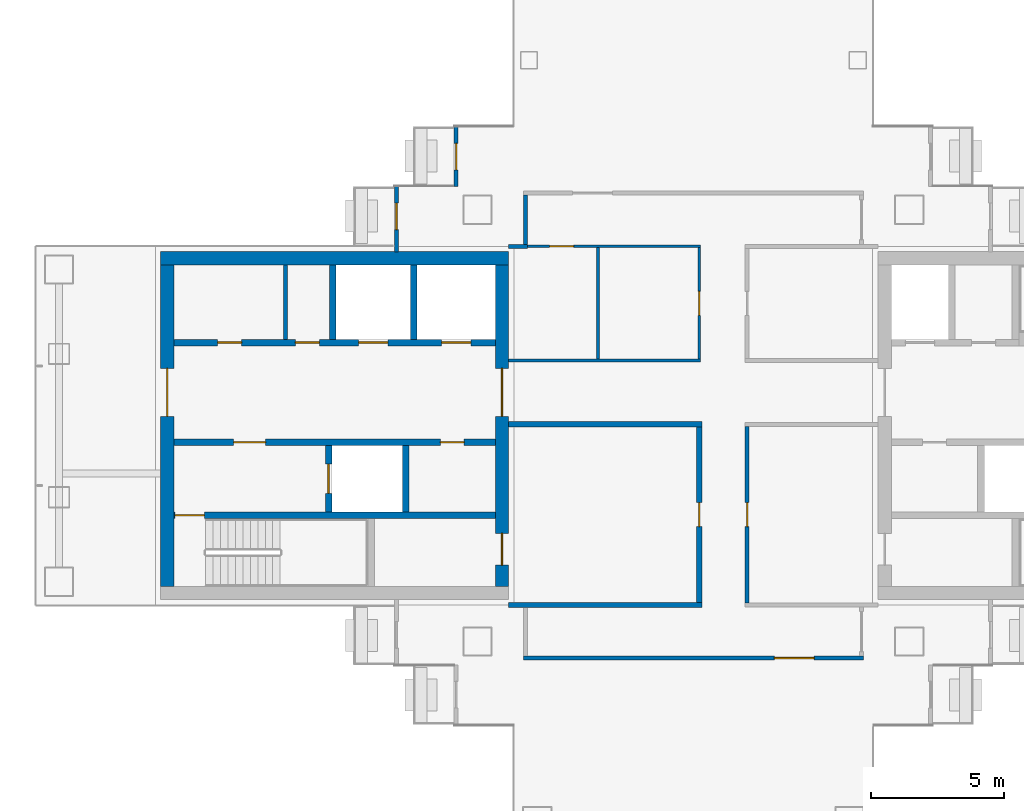
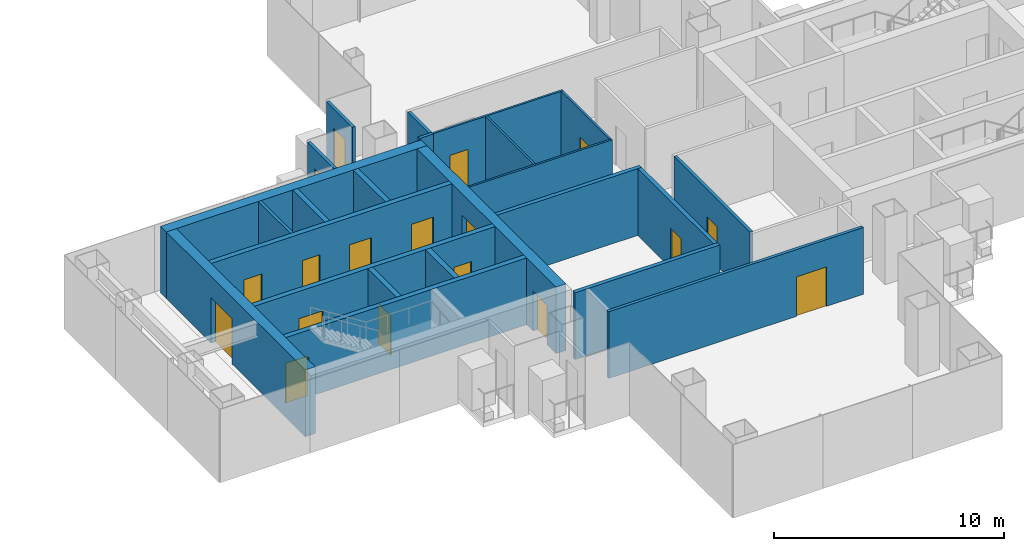
# One storey, part 11 of 16: 24 walls, 18 doors, 18 openings.
"""IFC4 building model written with IfcOpenShell, lengths in metres."""

from ifc_helpers import new_model, si_unit, direction, frame, frame_2d, origin, place, context, subcontext, project, spatial, rectangle, extrude, material, layer, layer_set, type_object, element, fill, save


model = new_model("IFC4")

# Units and contexts
model_context = context("Model", 3, precision=1e-05, world=origin(), true_north=direction((0.0, 1.0)))
body_context = subcontext(model_context, "Body", "Model", "MODEL_VIEW")
ifc_project = project(units=[si_unit("LENGTHUNIT", "METRE"), si_unit("AREAUNIT", "SQUARE_METRE"), si_unit("VOLUMEUNIT", "CUBIC_METRE"), si_unit("PLANEANGLEUNIT", "RADIAN"), si_unit("MASSUNIT", "GRAM", prefix="KILO")], contexts=[model_context])

# Site, building, storey
site_placement = place(None, origin())
site = spatial("IfcSite", under=ifc_project, at=site_placement, CompositionType="ELEMENT")
building_placement = place(site_placement, origin())
building = spatial("IfcBuilding", under=site, at=building_placement, Name="Shamsa Quay Exchange Towers", CompositionType="ELEMENT")
storey_placement = place(building_placement, frame((0.0, 0.0, 138.89990234375)))
storey = spatial("IfcBuildingStorey", under=building, at=storey_placement, Name="L32", CompositionType="ELEMENT", Elevation=138.89990234375)

# Wall, opening, door
ifc_material_1 = material(Name="Aluminium EN AW-6063 T6, black anodised, with black enamelled glass infill", Category="aluminium")
ifc_layer_1 = layer(ifc_material_1, 0.14990234375)
ifc_layer_set_1 = layer_set([ifc_layer_1], Name="BALCONY DOOR BAY WALL 150")
wall_type_1 = type_object("IfcWallType", Name="BALCONY DOOR BAY WALL 150", PredefinedType="SOLIDWALL", material=ifc_layer_set_1)
wall_1_placement = place(storey_placement, frame((24.824951171875, 9.0, 0.0), z_axis=(0.0, 0.0, 1.0), x_axis=(0.0, 1.0, 0.0)))
wall_1 = element("IfcWall", 1, at=wall_1_placement, inside=storey, type_object=wall_type_1, Name="Door bay T2-PKEN L32", PredefinedType="SOLIDWALL", context=body_context, shape_type="SweptSolid", body=[
    extrude(rectangle(XDim=2.25, YDim=0.14990234375, at=frame_2d((1.125, 0.0))), origin(), (0.0, 0.0, 1.0), 3.4501953125),
])
opening_1_placement = place(wall_1_placement, frame((0.625, 0.0, 0.0)))
opening_1 = element("IfcOpeningElement", 2, at=opening_1_placement, cuts=wall_1, Name="Opening XD201", PredefinedType="OPENING", context=body_context, shape_type="SweptSolid", body=[
    extrude(rectangle(XDim=1.0, YDim=2.39990234375, at=frame_2d((0.5, 1.199951171875))), frame((0.0, 0.0849609375, 0.0), z_axis=(0.0, -1.0, 0.0), x_axis=(1.0, 0.0, 0.0)), (0.0, 0.0, 1.0), 0.169921875),
])
ifc_material_2 = material(Name="Aluminium EN AW-6063 T6, black anodised, with laminated glass leaf", Category="aluminium")
door_type_1 = type_object("IfcDoorType", Name="BALCONY DOOR 1000x2400", OperationType="SINGLE_SWING_LEFT", PredefinedType="DOOR", material=ifc_material_2)
door_1_placement = place(opening_1_placement, origin())
door_1 = element("IfcDoor", 3, at=door_1_placement, inside=storey, type_object=door_type_1, Name="Balcony door T2-PKEN L32", OperationType="SINGLE_SWING_RIGHT", OverallHeight=2.39990234375, OverallWidth=1.0, PredefinedType="DOOR", context=body_context, shape_type="SweptSolid", body=[
    extrude(rectangle(XDim=1.0, YDim=2.39990234375, at=frame_2d((0.5, 1.199951171875))), frame((0.0, 0.02490234375, 0.0), z_axis=(0.0, -1.0, 0.0), x_axis=(1.0, 0.0, 0.0)), (0.0, 0.0, 1.0), 0.050048828125),
])
fill(opening_1, door_1)

wall_2_placement = place(storey_placement, frame((22.574951171875, 6.54296875, 0.0), z_axis=(0.0, 0.0, 1.0), x_axis=(0.0, 1.0, 0.0)))
wall_2 = element("IfcWall", 4, at=wall_2_placement, inside=storey, type_object=wall_type_1, Name="Door bay T2-PKEN L32", PredefinedType="SOLIDWALL", context=body_context, shape_type="SweptSolid", body=[
    extrude(rectangle(XDim=2.45703125, YDim=0.14990234375, at=frame_2d((1.228515625, 0.0))), origin(), (0.0, 0.0, 1.0), 3.4501953125),
])
opening_2_placement = place(wall_2_placement, frame((0.83203125, 0.0, 0.0)))
opening_2 = element("IfcOpeningElement", 5, at=opening_2_placement, cuts=wall_2, Name="Opening XD202", PredefinedType="OPENING", context=body_context, shape_type="SweptSolid", body=[
    extrude(rectangle(XDim=1.0, YDim=2.39990234375, at=frame_2d((0.5, 1.199951171875))), frame((0.0, 0.0849609375, 0.0), z_axis=(0.0, -1.0, 0.0), x_axis=(1.0, 0.0, 0.0)), (0.0, 0.0, 1.0), 0.169921875),
])
door_2_placement = place(opening_2_placement, origin())
door_2 = element("IfcDoor", 6, at=door_2_placement, inside=storey, type_object=door_type_1, Name="Balcony door T2-PKEN L32", OperationType="SINGLE_SWING_LEFT", OverallHeight=2.39990234375, OverallWidth=1.0, PredefinedType="DOOR", context=body_context, shape_type="SweptSolid", body=[
    extrude(rectangle(XDim=1.0, YDim=2.39990234375, at=frame_2d((0.5, 1.199951171875))), frame((0.0, 0.02490234375, 0.0), z_axis=(0.0, -1.0, 0.0), x_axis=(1.0, 0.0, 0.0)), (0.0, 0.0, 1.0), 0.050048828125),
])
fill(opening_2, door_2)

# Wall
ifc_material_3 = material(Name="Concrete C60/75", Category="concrete")
ifc_layer_2 = layer(ifc_material_3, 0.5)
ifc_layer_set_2 = layer_set([ifc_layer_2], Name="CORE WALL 500 C60/75")
wall_type_2 = type_object("IfcWallType", Name="CORE WALL 500 C60/75", PredefinedType="SHEAR", material=ifc_layer_set_2)
wall_3_placement = place(storey_placement, frame((13.699951171875, 6.300048828125, 0.0)))
element("IfcWall", 7, at=wall_3_placement, inside=storey, type_object=wall_type_2, Name="Core wall T2A-R14-PN", PredefinedType="SHEAR", context=body_context, shape_type="SweptSolid", body=[
    extrude(rectangle(XDim=13.10009765625, YDim=0.5, at=frame_2d((6.550048828125, 0.0))), origin(), (0.0, 0.0, 1.0), 3.550048828125),
])

# Wall, opening, door
wall_4_placement = place(storey_placement, frame((13.949951171875, 6.050048828125, 0.0), z_axis=(0.0, 0.0, 1.0), x_axis=(0.0, -1.0, 0.0)))
wall_4 = element("IfcWall", 8, at=wall_4_placement, inside=storey, type_object=wall_type_2, Name="Core wall T2A-R14-PF", PredefinedType="SHEAR", context=body_context, shape_type="SweptSolid", body=[
    extrude(rectangle(XDim=12.10009765625, YDim=0.5, at=frame_2d((6.050048828125, 0.0))), origin(), (0.0, 0.0, 1.0), 3.550048828125),
])
opening_3_placement = place(wall_4_placement, frame((3.89990234375, 0.0, 0.0)))
opening_3 = element("IfcOpeningElement", 9, at=opening_3_placement, cuts=wall_4, Name="Opening T2A-R14-LBD01", PredefinedType="OPENING", context=body_context, shape_type="SweptSolid", body=[
    extrude(rectangle(XDim=1.800048828125, YDim=2.39990234375, at=frame_2d((0.89990234375, 1.199951171875))), frame((0.0, 0.260009765625, 0.0), z_axis=(0.0, -1.0, 0.0), x_axis=(1.0, 0.0, 0.0)), (0.0, 0.0, 1.0), 0.52001953125),
])
ifc_material_4 = material(Name="Steel, fire rated", Category="steel")
door_type_2 = type_object("IfcDoorType", Name="LIFT LOBBY DOOR PAIR 1800", OperationType="DOUBLE_DOOR_SINGLE_SWING", PredefinedType="DOOR", material=ifc_material_4)
door_3_placement = place(opening_3_placement, origin())
door_3 = element("IfcDoor", 10, at=door_3_placement, inside=storey, type_object=door_type_2, Name="T2A-R14-LBD01", OperationType="DOUBLE_DOOR_SINGLE_SWING", OverallHeight=2.39990234375, OverallWidth=1.800048828125, PredefinedType="DOOR", context=body_context, shape_type="SweptSolid", body=[
    extrude(rectangle(XDim=1.800048828125, YDim=2.39990234375, at=frame_2d((0.89990234375, 1.199951171875))), frame((0.0, 0.02490234375, 0.0), z_axis=(0.0, -1.0, 0.0), x_axis=(1.0, 0.0, 0.0)), (0.0, 0.0, 1.0), 0.050048828125),
])
fill(opening_3, door_3)

# Wall, openings, doors
wall_5_placement = place(storey_placement, frame((26.550048828125, 6.050048828125, 0.0), z_axis=(0.0, 0.0, 1.0), x_axis=(0.0, -1.0, 0.0)))
wall_5 = element("IfcWall", 11, at=wall_5_placement, inside=storey, type_object=wall_type_2, Name="Core wall T2A-R14-PB", PredefinedType="SHEAR", context=body_context, shape_type="SweptSolid", body=[
    extrude(rectangle(XDim=12.10009765625, YDim=0.5, at=frame_2d((6.050048828125, 0.0))), origin(), (0.0, 0.0, 1.0), 3.550048828125),
])
opening_4_placement = place(wall_5_placement, frame((10.10009765625, 0.0, 0.0)))
opening_4 = element("IfcOpeningElement", 12, at=opening_4_placement, cuts=wall_5, Name="Opening T2A-R14-RD02", PredefinedType="OPENING", context=body_context, shape_type="SweptSolid", body=[
    extrude(rectangle(XDim=1.199951171875, YDim=2.10009765625, at=frame_2d((0.60009765625, 1.050048828125))), frame((0.0, 0.260009765625, 0.0), z_axis=(0.0, -1.0, 0.0), x_axis=(1.0, 0.0, 0.0)), (0.0, 0.0, 1.0), 0.52001953125),
])
opening_5_placement = place(wall_5_placement, frame((3.89990234375, 0.0, 0.0)))
opening_5 = element("IfcOpeningElement", 13, at=opening_5_placement, cuts=wall_5, Name="Opening T2A-R14-LBD03", PredefinedType="OPENING", context=body_context, shape_type="SweptSolid", body=[
    extrude(rectangle(XDim=1.800048828125, YDim=2.39990234375, at=frame_2d((0.89990234375, 1.199951171875))), frame((0.0, 0.260009765625, 0.0), z_axis=(0.0, -1.0, 0.0), x_axis=(1.0, 0.0, 0.0)), (0.0, 0.0, 1.0), 0.52001953125),
])
door_4_placement = place(opening_5_placement, origin())
door_4 = element("IfcDoor", 14, at=door_4_placement, inside=storey, type_object=door_type_2, Name="T2A-R14-LBD03", OperationType="DOUBLE_DOOR_SINGLE_SWING", OverallHeight=2.39990234375, OverallWidth=1.800048828125, PredefinedType="DOOR", context=body_context, shape_type="SweptSolid", body=[
    extrude(rectangle(XDim=1.800048828125, YDim=2.39990234375, at=frame_2d((0.89990234375, 1.199951171875))), frame((0.0, 0.02490234375, 0.0), z_axis=(0.0, -1.0, 0.0), x_axis=(1.0, 0.0, 0.0)), (0.0, 0.0, 1.0), 0.050048828125),
])
fill(opening_5, door_4)
door_type_3 = type_object("IfcDoorType", Name="RISER ACCESS DOOR 1200", OperationType="SINGLE_SWING_LEFT", PredefinedType="DOOR", material=ifc_material_4)
door_5_placement = place(opening_4_placement, origin())
door_5 = element("IfcDoor", 15, at=door_5_placement, inside=storey, type_object=door_type_3, Name="T2A-R14-RD02", OperationType="SINGLE_SWING_RIGHT", OverallHeight=2.10009765625, OverallWidth=1.199951171875, PredefinedType="DOOR", context=body_context, shape_type="SweptSolid", body=[
    extrude(rectangle(XDim=1.199951171875, YDim=2.10009765625, at=frame_2d((0.60009765625, 1.050048828125))), frame((0.0, 0.02490234375, 0.0), z_axis=(0.0, -1.0, 0.0), x_axis=(1.0, 0.0, 0.0)), (0.0, 0.0, 1.0), 0.050048828125),
])
fill(opening_4, door_5)

# Wall
ifc_material_5 = material(Name="Gypsum board on steel studs, EI 60", Category="steel")
ifc_layer_3 = layer(ifc_material_5, 0.14990234375)
ifc_layer_set_3 = layer_set([ifc_layer_3], Name="FIRE PARTITION 150")
wall_type_3 = type_object("IfcWallType", Name="FIRE PARTITION 150", PredefinedType="PARTITIONING", material=ifc_layer_set_3)
wall_6_placement = place(storey_placement, frame((18.39990234375, 3.25, 0.0), z_axis=(0.0, 0.0, 1.0), x_axis=(0.0, 1.0, 0.0)))
element("IfcWall", 16, at=wall_6_placement, inside=storey, type_object=wall_type_3, Name="Partition T2A-R14-FC0", PredefinedType="PARTITIONING", context=body_context, shape_type="SweptSolid", body=[
    extrude(rectangle(XDim=2.800048828125, YDim=0.14990234375, at=frame_2d((1.39990234375, 0.0))), origin(), (0.0, 0.0, 1.0), 3.550048828125),
])

# Wall, opening, door
ifc_material_6 = material(Name="Gypsum board partition on metal studs")
ifc_layer_4 = layer(ifc_material_6, 0.10009765625)
ifc_layer_set_4 = layer_set([ifc_layer_4], Name="Partition 100 mm NOT RATED")
wall_type_4 = type_object("IfcWallType", Name="Partition 100 mm NOT RATED", PredefinedType="PARTITIONING", material=ifc_layer_set_4)
wall_7_placement = place(storey_placement, frame((34.024658203125, 6.75, 0.0), z_axis=(0.0, 0.0, 1.0), x_axis=(-1.0, 0.0, 0.0)))
wall_7 = element("IfcWall", 17, at=wall_7_placement, inside=storey, type_object=wall_type_4, Name="Partition T2-R14-W01", PredefinedType="PARTITIONING", context=body_context, shape_type="SweptSolid", body=[
    extrude(rectangle(XDim=6.6748046875, YDim=0.10009765625, at=frame_2d((3.33740234375, 0.0))), origin(), (0.0, 0.0, 1.0), 3.550048828125),
])
opening_6_placement = place(wall_7_placement, frame((4.78125, 0.0, 0.0)))
opening_6 = element("IfcOpeningElement", 18, at=opening_6_placement, cuts=wall_7, Name="Opening T2-R14-D08", PredefinedType="OPENING", context=body_context, shape_type="SweptSolid", body=[
    extrude(rectangle(XDim=0.89990234375, YDim=2.10009765625, at=frame_2d((0.449951171875, 1.050048828125))), frame((0.0, 0.06005859375, 0.0), z_axis=(0.0, -1.0, 0.0), x_axis=(1.0, 0.0, 0.0)), (0.0, 0.0, 1.0), 0.1201171875),
])
ifc_material_7 = material(Name="Timber door leaf in a metal frame", Category="wood")
door_type_4 = type_object("IfcDoorType", Name="Door 900x2100 NOT RATED", OperationType="NOTDEFINED", PredefinedType="DOOR", material=ifc_material_7)
door_6_placement = place(opening_6_placement, origin())
door_6 = element("IfcDoor", 19, at=door_6_placement, inside=storey, type_object=door_type_4, Name="Door T2-R14-D08", OperationType="SINGLE_SWING_RIGHT", OverallHeight=2.10009765625, OverallWidth=0.89990234375, PredefinedType="DOOR", context=body_context, shape_type="SweptSolid", body=[
    extrude(rectangle(XDim=0.89990234375, YDim=2.10009765625, at=frame_2d((0.449951171875, 1.050048828125))), frame((0.0, 0.02490234375, 0.0), z_axis=(0.0, -1.0, 0.0), x_axis=(1.0, 0.0, 0.0)), (0.0, 0.0, 1.0), 0.050048828125),
])
fill(opening_6, door_6)

wall_8_placement = place(storey_placement, frame((33.974609375, 2.500244140625, 0.0), z_axis=(0.0, 0.0, 1.0), x_axis=(0.0, 1.0, 0.0)))
wall_8 = element("IfcWall", 20, at=wall_8_placement, inside=storey, type_object=wall_type_4, Name="Partition T2-R14-W02", PredefinedType="PARTITIONING", context=body_context, shape_type="SweptSolid", body=[
    extrude(rectangle(XDim=4.19970703125, YDim=0.10009765625, at=frame_2d((2.099853515625, 0.0))), origin(), (0.0, 0.0, 1.0), 3.550048828125),
])
opening_7_placement = place(wall_8_placement, frame((1.64990234375, 0.0, 0.0)))
opening_7 = element("IfcOpeningElement", 21, at=opening_7_placement, cuts=wall_8, Name="Opening T2-R14-D07", PredefinedType="OPENING", context=body_context, shape_type="SweptSolid", body=[
    extrude(rectangle(XDim=0.89990234375, YDim=2.10009765625, at=frame_2d((0.449951171875, 1.050048828125))), frame((0.0, 0.06005859375, 0.0), z_axis=(0.0, -1.0, 0.0), x_axis=(1.0, 0.0, 0.0)), (0.0, 0.0, 1.0), 0.1201171875),
])
door_7_placement = place(opening_7_placement, origin())
door_7 = element("IfcDoor", 22, at=door_7_placement, inside=storey, type_object=door_type_4, Name="Door T2-R14-D07", OperationType="SINGLE_SWING_LEFT", OverallHeight=2.10009765625, OverallWidth=0.89990234375, PredefinedType="DOOR", context=body_context, shape_type="SweptSolid", body=[
    extrude(rectangle(XDim=0.89990234375, YDim=2.10009765625, at=frame_2d((0.449951171875, 1.050048828125))), frame((0.0, 0.02490234375, 0.0), z_axis=(0.0, -1.0, 0.0), x_axis=(1.0, 0.0, 0.0)), (0.0, 0.0, 1.0), 0.050048828125),
])
fill(opening_7, door_7)

# Walls
wall_9_placement = place(storey_placement, frame((26.800048828125, 2.4501953125, 0.0)))
element("IfcWall", 23, at=wall_9_placement, inside=storey, type_object=wall_type_4, Name="Partition T2-R14-W03", PredefinedType="PARTITIONING", context=body_context, shape_type="SweptSolid", body=[
    extrude(rectangle(XDim=7.224609375, YDim=0.10009765625, at=frame_2d((3.6123046875, 0.0))), origin(), (0.0, 0.0, 1.0), 3.550048828125),
])
wall_10_placement = place(storey_placement, frame((30.162109375, 6.699951171875, 0.0), z_axis=(0.0, 0.0, 1.0), x_axis=(0.0, -1.0, 0.0)))
element("IfcWall", 24, at=wall_10_placement, inside=storey, type_object=wall_type_4, Name="Partition T2-R14-W20", PredefinedType="PARTITIONING", context=body_context, shape_type="SweptSolid", body=[
    extrude(rectangle(XDim=4.19970703125, YDim=0.10009765625, at=frame_2d((2.099853515625, 0.0))), origin(), (0.0, 0.0, 1.0), 3.550048828125),
])

# Wall, opening, door
ifc_layer_5 = layer(ifc_material_6, 0.14990234375)
ifc_layer_set_5 = layer_set([ifc_layer_5], Name="Partition 150 mm EI 60")
wall_type_5 = type_object("IfcWallType", Name="Partition 150 mm EI 60", PredefinedType="PARTITIONING", material=ifc_layer_set_5)
wall_11_placement = place(storey_placement, frame((35.775390625, -0.025146484375, 0.0), z_axis=(0.0, 0.0, 1.0), x_axis=(0.0, -1.0, 0.0)))
wall_11 = element("IfcWall", 25, at=wall_11_placement, inside=storey, type_object=wall_type_5, Name="Partition T2-R14-W08", PredefinedType="PARTITIONING", context=body_context, shape_type="SweptSolid", body=[
    extrude(rectangle(XDim=6.64990234375, YDim=0.14990234375, at=frame_2d((3.324951171875, 0.0))), origin(), (0.0, 0.0, 1.0), 3.550048828125),
])
opening_8_placement = place(wall_11_placement, frame((2.875, 0.0, 0.0)))
opening_8 = element("IfcOpeningElement", 26, at=opening_8_placement, cuts=wall_11, Name="Opening T2-R14-D04", PredefinedType="OPENING", context=body_context, shape_type="SweptSolid", body=[
    extrude(rectangle(XDim=0.89990234375, YDim=2.10009765625, at=frame_2d((0.449951171875, 1.050048828125))), frame((0.0, 0.0849609375, 0.0), z_axis=(0.0, -1.0, 0.0), x_axis=(1.0, 0.0, 0.0)), (0.0, 0.0, 1.0), 0.169921875),
])
door_type_5 = type_object("IfcDoorType", Name="Door 900x2100 FD30S", OperationType="NOTDEFINED", PredefinedType="DOOR", material=ifc_material_7)
door_8_placement = place(opening_8_placement, origin())
door_8 = element("IfcDoor", 27, at=door_8_placement, inside=storey, type_object=door_type_5, Name="Door T2-R14-D04", OperationType="SINGLE_SWING_LEFT", OverallHeight=2.10009765625, OverallWidth=0.89990234375, PredefinedType="DOOR", context=body_context, shape_type="SweptSolid", body=[
    extrude(rectangle(XDim=0.89990234375, YDim=2.10009765625, at=frame_2d((0.449951171875, 1.050048828125))), frame((0.0, 0.02490234375, 0.0), z_axis=(0.0, -1.0, 0.0), x_axis=(1.0, 0.0, 0.0)), (0.0, 0.0, 1.0), 0.050048828125),
])
fill(opening_8, door_8)

# Walls
wall_12_placement = place(storey_placement, frame((27.499755859375, 6.75, 0.0), z_axis=(0.0, 0.0, 1.0), x_axis=(-1.0, 0.0, 0.0)))
element("IfcWall", 28, at=wall_12_placement, inside=storey, type_object=wall_type_5, Name="Partition T2-R14-W10", PredefinedType="PARTITIONING", context=body_context, shape_type="SweptSolid", body=[
    extrude(rectangle(XDim=0.69970703125, YDim=0.14990234375, at=frame_2d((0.349853515625, 0.0))), origin(), (0.0, 0.0, 1.0), 3.550048828125),
])
wall_13_placement = place(storey_placement, frame((27.4248046875, 8.675048828125, 0.0), z_axis=(0.0, 0.0, 1.0), x_axis=(0.0, -1.0, 0.0)))
element("IfcWall", 29, at=wall_13_placement, inside=storey, type_object=wall_type_5, Name="Partition T2-R14-W18", PredefinedType="PARTITIONING", context=body_context, shape_type="SweptSolid", body=[
    extrude(rectangle(XDim=1.85009765625, YDim=0.14990234375, at=frame_2d((0.925048828125, 0.0))), origin(), (0.0, 0.0, 1.0), 3.550048828125),
])

# Wall, opening, door
wall_14_placement = place(storey_placement, frame((27.349853515625, -8.75, 0.0)))
wall_14 = element("IfcWall", 30, at=wall_14_placement, inside=storey, type_object=wall_type_5, Name="Partition T2-R14-W19", PredefinedType="PARTITIONING", context=body_context, shape_type="SweptSolid", body=[
    extrude(rectangle(XDim=12.80029296875, YDim=0.14990234375, at=frame_2d((6.400146484375, 0.0))), origin(), (0.0, 0.0, 1.0), 3.550048828125),
])
opening_9_placement = place(wall_14_placement, frame((9.4453125, 0.0, 0.0)))
opening_9 = element("IfcOpeningElement", 31, at=opening_9_placement, cuts=wall_14, Name="Opening T2-R14-D01", PredefinedType="OPENING", context=body_context, shape_type="SweptSolid", body=[
    extrude(rectangle(XDim=1.5, YDim=2.10009765625, at=frame_2d((0.75, 1.050048828125))), frame((0.0, 0.0849609375, 0.0), z_axis=(0.0, -1.0, 0.0), x_axis=(1.0, 0.0, 0.0)), (0.0, 0.0, 1.0), 0.169921875),
])
door_type_6 = type_object("IfcDoorType", Name="Door 1500x2100 FD30S pair", OperationType="NOTDEFINED", PredefinedType="DOOR", material=ifc_material_7)
door_9_placement = place(opening_9_placement, origin())
door_9 = element("IfcDoor", 32, at=door_9_placement, inside=storey, type_object=door_type_6, Name="Door T2-R14-D01", OperationType="DOUBLE_DOOR_SINGLE_SWING", OverallHeight=2.10009765625, OverallWidth=1.5, PredefinedType="DOOR", context=body_context, shape_type="SweptSolid", body=[
    extrude(rectangle(XDim=1.5, YDim=2.10009765625, at=frame_2d((0.75, 1.050048828125))), frame((0.0, 0.02490234375, 0.0), z_axis=(0.0, -1.0, 0.0), x_axis=(1.0, 0.0, 0.0)), (0.0, 0.0, 1.0), 0.050048828125),
])
fill(opening_9, door_9)

# Wall
ifc_layer_6 = layer(ifc_material_6, 0.199951171875)
ifc_layer_set_6 = layer_set([ifc_layer_6], Name="Partition 200 mm EI 120")
wall_type_6 = type_object("IfcWallType", Name="Partition 200 mm EI 120", PredefinedType="PARTITIONING", material=ifc_layer_set_6)
wall_15_placement = place(storey_placement, frame((34.07470703125, 0.0498046875, 0.0), z_axis=(0.0, 0.0, 1.0), x_axis=(-1.0, 0.0, 0.0)))
element("IfcWall", 33, at=wall_15_placement, inside=storey, type_object=wall_type_6, Name="Partition T2-R14-W04", PredefinedType="PARTITIONING", context=body_context, shape_type="SweptSolid", body=[
    extrude(rectangle(XDim=7.274658203125, YDim=0.199951171875, at=frame_2d((3.63720703125, 0.0))), origin(), (0.0, 0.0, 1.0), 3.550048828125),
])

# Wall, opening, door
wall_16_placement = place(storey_placement, frame((33.974609375, -6.64990234375, 0.0), z_axis=(0.0, 0.0, 1.0), x_axis=(0.0, 1.0, 0.0)))
wall_16 = element("IfcWall", 34, at=wall_16_placement, inside=storey, type_object=wall_type_6, Name="Partition T2-R14-W05", PredefinedType="PARTITIONING", context=body_context, shape_type="SweptSolid", body=[
    extrude(rectangle(XDim=6.599609375, YDim=0.199951171875, at=frame_2d((3.2998046875, 0.0))), origin(), (0.0, 0.0, 1.0), 3.550048828125),
])
opening_10_placement = place(wall_16_placement, frame((2.849853515625, 0.0, 0.0)))
opening_10 = element("IfcOpeningElement", 35, at=opening_10_placement, cuts=wall_16, Name="Opening T2-R14-D06", PredefinedType="OPENING", context=body_context, shape_type="SweptSolid", body=[
    extrude(rectangle(XDim=0.89990234375, YDim=2.10009765625, at=frame_2d((0.449951171875, 1.050048828125))), frame((0.0, 0.10986328125, 0.0), z_axis=(0.0, -1.0, 0.0), x_axis=(1.0, 0.0, 0.0)), (0.0, 0.0, 1.0), 0.219970703125),
])
door_type_7 = type_object("IfcDoorType", Name="Door 900x2100 FD60", OperationType="NOTDEFINED", PredefinedType="DOOR", material=ifc_material_7)
door_10_placement = place(opening_10_placement, origin())
door_10 = element("IfcDoor", 36, at=door_10_placement, inside=storey, type_object=door_type_7, Name="Door T2-R14-D06", OperationType="SINGLE_SWING_LEFT", OverallHeight=2.10009765625, OverallWidth=0.89990234375, PredefinedType="DOOR", context=body_context, shape_type="SweptSolid", body=[
    extrude(rectangle(XDim=0.89990234375, YDim=2.10009765625, at=frame_2d((0.449951171875, 1.050048828125))), frame((0.0, 0.02490234375, 0.0), z_axis=(0.0, -1.0, 0.0), x_axis=(1.0, 0.0, 0.0)), (0.0, 0.0, 1.0), 0.050048828125),
])
fill(opening_10, door_10)

# Wall
wall_17_placement = place(storey_placement, frame((26.800048828125, -6.75, 0.0)))
element("IfcWall", 37, at=wall_17_placement, inside=storey, type_object=wall_type_6, Name="Partition T2-R14-W06", PredefinedType="PARTITIONING", context=body_context, shape_type="SweptSolid", body=[
    extrude(rectangle(XDim=7.274658203125, YDim=0.199951171875, at=frame_2d((3.63720703125, 0.0))), origin(), (0.0, 0.0, 1.0), 3.550048828125),
])

# Wall, opening, door
ifc_material_8 = material(Name="Concrete C50/60", Category="concrete")
ifc_layer_7 = layer(ifc_material_8, 0.25)
ifc_layer_set_7 = layer_set([ifc_layer_7], Name="SHAFT WALL 250 C50/60")
wall_type_7 = type_object("IfcWallType", Name="SHAFT WALL 250 C50/60", PredefinedType="SHEAR", material=ifc_layer_set_7)
wall_18_placement = place(storey_placement, frame((26.300048828125, -3.375, 0.0), z_axis=(0.0, 0.0, 1.0), x_axis=(-1.0, 0.0, 0.0)))
wall_18 = element("IfcWall", 38, at=wall_18_placement, inside=storey, type_object=wall_type_7, Name="Shaft wall T2A-R14-STL", PredefinedType="SHEAR", context=body_context, shape_type="SweptSolid", body=[
    extrude(rectangle(XDim=12.10009765625, YDim=0.25, at=frame_2d((6.050048828125, 0.0))), origin(), (0.0, 0.0, 1.0), 3.550048828125),
])
opening_11_placement = place(wall_18_placement, frame((10.949951171875, 0.0, 0.0)))
opening_11 = element("IfcOpeningElement", 39, at=opening_11_placement, cuts=wall_18, Name="Opening T2A-R14-SD04", PredefinedType="OPENING", context=body_context, shape_type="SweptSolid", body=[
    extrude(rectangle(XDim=1.10009765625, YDim=2.10009765625, at=frame_2d((0.550048828125, 1.050048828125))), frame((0.0, 0.135009765625, 0.0), z_axis=(0.0, -1.0, 0.0), x_axis=(1.0, 0.0, 0.0)), (0.0, 0.0, 1.0), 0.27001953125),
])
door_type_8 = type_object("IfcDoorType", Name="STAIR DOOR 1100", OperationType="SINGLE_SWING_LEFT", PredefinedType="DOOR", material=ifc_material_4)
door_11_placement = place(opening_11_placement, origin())
door_11 = element("IfcDoor", 40, at=door_11_placement, inside=storey, type_object=door_type_8, Name="T2A-R14-SD04", OperationType="SINGLE_SWING_RIGHT", OverallHeight=2.10009765625, OverallWidth=1.10009765625, PredefinedType="DOOR", context=body_context, shape_type="SweptSolid", body=[
    extrude(rectangle(XDim=1.10009765625, YDim=2.10009765625, at=frame_2d((0.550048828125, 1.050048828125))), frame((0.0, 0.02490234375, 0.0), z_axis=(0.0, -1.0, 0.0), x_axis=(1.0, 0.0, 0.0)), (0.0, 0.0, 1.0), 0.050048828125),
])
fill(opening_11, door_11)

# Wall, openings, doors
wall_19_placement = place(storey_placement, frame((26.300048828125, -0.625, 0.0), z_axis=(0.0, 0.0, 1.0), x_axis=(-1.0, 0.0, 0.0)))
wall_19 = element("IfcWall", 41, at=wall_19_placement, inside=storey, type_object=wall_type_7, Name="Shaft wall T2A-R14-B", PredefinedType="SHEAR", context=body_context, shape_type="SweptSolid", body=[
    extrude(rectangle(XDim=12.10009765625, YDim=0.25, at=frame_2d((6.050048828125, 0.0))), origin(), (0.0, 0.0, 1.0), 3.550048828125),
])
opening_12_placement = place(wall_19_placement, frame((8.64990234375, 0.0, 0.0)))
opening_12 = element("IfcOpeningElement", 42, at=opening_12_placement, cuts=wall_19, Name="Opening T2A-R14-FD05", PredefinedType="OPENING", context=body_context, shape_type="SweptSolid", body=[
    extrude(rectangle(XDim=1.199951171875, YDim=2.10009765625, at=frame_2d((0.60009765625, 1.050048828125))), frame((0.0, 0.135009765625, 0.0), z_axis=(0.0, -1.0, 0.0), x_axis=(1.0, 0.0, 0.0)), (0.0, 0.0, 1.0), 0.27001953125),
])
opening_13_placement = place(wall_19_placement, frame((1.175048828125, 0.0, 0.0)))
opening_13 = element("IfcOpeningElement", 43, at=opening_13_placement, cuts=wall_19, Name="Opening T2A-R14-SV06", PredefinedType="OPENING", context=body_context, shape_type="SweptSolid", body=[
    extrude(rectangle(XDim=0.89990234375, YDim=2.10009765625, at=frame_2d((0.449951171875, 1.050048828125))), frame((0.0, 0.135009765625, 0.0), z_axis=(0.0, -1.0, 0.0), x_axis=(1.0, 0.0, 0.0)), (0.0, 0.0, 1.0), 0.27001953125),
])
door_type_9 = type_object("IfcDoorType", Name="FIRE SERVICE LOBBY DOOR 1200", OperationType="SINGLE_SWING_LEFT", PredefinedType="DOOR", material=ifc_material_4)
door_12_placement = place(opening_12_placement, origin())
door_12 = element("IfcDoor", 44, at=door_12_placement, inside=storey, type_object=door_type_9, Name="T2A-R14-FD05", OperationType="SINGLE_SWING_RIGHT", OverallHeight=2.10009765625, OverallWidth=1.199951171875, PredefinedType="DOOR", context=body_context, shape_type="SweptSolid", body=[
    extrude(rectangle(XDim=1.199951171875, YDim=2.10009765625, at=frame_2d((0.60009765625, 1.050048828125))), frame((0.0, 0.02490234375, 0.0), z_axis=(0.0, -1.0, 0.0), x_axis=(1.0, 0.0, 0.0)), (0.0, 0.0, 1.0), 0.050048828125),
])
fill(opening_12, door_12)
door_type_10 = type_object("IfcDoorType", Name="SERVICE ROOM DOOR 900", OperationType="SINGLE_SWING_LEFT", PredefinedType="DOOR", material=ifc_material_4)
door_13_placement = place(opening_13_placement, origin())
door_13 = element("IfcDoor", 45, at=door_13_placement, inside=storey, type_object=door_type_10, Name="T2A-R14-SV06", OperationType="SINGLE_SWING_LEFT", OverallHeight=2.10009765625, OverallWidth=0.89990234375, PredefinedType="DOOR", context=body_context, shape_type="SweptSolid", body=[
    extrude(rectangle(XDim=0.89990234375, YDim=2.10009765625, at=frame_2d((0.449951171875, 1.050048828125))), frame((0.0, 0.02490234375, 0.0), z_axis=(0.0, -1.0, 0.0), x_axis=(1.0, 0.0, 0.0)), (0.0, 0.0, 1.0), 0.050048828125),
])
fill(opening_13, door_13)

# Wall, opening, door
wall_20_placement = place(storey_placement, frame((20.02490234375, -3.25, 0.0), z_axis=(0.0, 0.0, 1.0), x_axis=(0.0, 1.0, 0.0)))
wall_20 = element("IfcWall", 46, at=wall_20_placement, inside=storey, type_object=wall_type_7, Name="Shaft wall T2A-R14-FFF", PredefinedType="SHEAR", context=body_context, shape_type="SweptSolid", body=[
    extrude(rectangle(XDim=2.5, YDim=0.25, at=frame_2d((1.25, 0.0))), origin(), (0.0, 0.0, 1.0), 3.550048828125),
])
opening_14_placement = place(wall_20_placement, frame((0.699951171875, 0.0, 0.0)))
opening_14 = element("IfcOpeningElement", 47, at=opening_14_placement, cuts=wall_20, Name="Opening T2A-R14-LDF07", PredefinedType="OPENING", context=body_context, shape_type="SweptSolid", body=[
    extrude(rectangle(XDim=1.10009765625, YDim=2.10009765625, at=frame_2d((0.550048828125, 1.050048828125))), frame((0.0, 0.135009765625, 0.0), z_axis=(0.0, -1.0, 0.0), x_axis=(1.0, 0.0, 0.0)), (0.0, 0.0, 1.0), 0.27001953125),
])
door_type_11 = type_object("IfcDoorType", Name="FIRE SERVICE LANDING DOOR 1100", OperationType="SLIDING_TO_LEFT", PredefinedType="DOOR", material=ifc_material_4)
door_14_placement = place(opening_14_placement, origin())
door_14 = element("IfcDoor", 48, at=door_14_placement, inside=storey, type_object=door_type_11, Name="T2A-R14-LDF07", OperationType="SLIDING_TO_LEFT", OverallHeight=2.10009765625, OverallWidth=1.10009765625, PredefinedType="DOOR", context=body_context, shape_type="SweptSolid", body=[
    extrude(rectangle(XDim=1.10009765625, YDim=2.10009765625, at=frame_2d((0.550048828125, 1.050048828125))), frame((0.0, 0.02490234375, 0.0), z_axis=(0.0, -1.0, 0.0), x_axis=(1.0, 0.0, 0.0)), (0.0, 0.0, 1.0), 0.050048828125),
])
fill(opening_14, door_14)

# Wall
wall_21_placement = place(storey_placement, frame((22.925048828125, -3.25, 0.0), z_axis=(0.0, 0.0, 1.0), x_axis=(0.0, 1.0, 0.0)))
element("IfcWall", 49, at=wall_21_placement, inside=storey, type_object=wall_type_7, Name="Shaft wall T2A-R14-FFB", PredefinedType="SHEAR", context=body_context, shape_type="SweptSolid", body=[
    extrude(rectangle(XDim=2.5, YDim=0.25, at=frame_2d((1.25, 0.0))), origin(), (0.0, 0.0, 1.0), 3.550048828125),
])

# Wall, openings, doors
wall_22_placement = place(storey_placement, frame((14.199951171875, 3.125, 0.0)))
wall_22 = element("IfcWall", 50, at=wall_22_placement, inside=storey, type_object=wall_type_7, Name="Shaft wall T2A-R14-N", PredefinedType="SHEAR", context=body_context, shape_type="SweptSolid", body=[
    extrude(rectangle(XDim=12.10009765625, YDim=0.25, at=frame_2d((6.050048828125, 0.0))), origin(), (0.0, 0.0, 1.0), 3.550048828125),
])
opening_15_placement = place(wall_22_placement, frame((6.949951171875, 0.0, 0.0)))
opening_15 = element("IfcOpeningElement", 51, at=opening_15_placement, cuts=wall_22, Name="Opening T2A-R14-LD08", PredefinedType="OPENING", context=body_context, shape_type="SweptSolid", body=[
    extrude(rectangle(XDim=1.10009765625, YDim=2.10009765625, at=frame_2d((0.550048828125, 1.050048828125))), frame((0.0, 0.135009765625, 0.0), z_axis=(0.0, -1.0, 0.0), x_axis=(1.0, 0.0, 0.0)), (0.0, 0.0, 1.0), 0.27001953125),
])
opening_16_placement = place(wall_22_placement, frame((10.074951171875, 0.0, 0.0)))
opening_16 = element("IfcOpeningElement", 52, at=opening_16_placement, cuts=wall_22, Name="Opening T2A-R14-LD09", PredefinedType="OPENING", context=body_context, shape_type="SweptSolid", body=[
    extrude(rectangle(XDim=1.10009765625, YDim=2.10009765625, at=frame_2d((0.550048828125, 1.050048828125))), frame((0.0, 0.135009765625, 0.0), z_axis=(0.0, -1.0, 0.0), x_axis=(1.0, 0.0, 0.0)), (0.0, 0.0, 1.0), 0.27001953125),
])
opening_17_placement = place(wall_22_placement, frame((1.64990234375, 0.0, 0.0)))
opening_17 = element("IfcOpeningElement", 53, at=opening_17_placement, cuts=wall_22, Name="Opening T2A-R14-SV10", PredefinedType="OPENING", context=body_context, shape_type="SweptSolid", body=[
    extrude(rectangle(XDim=0.89990234375, YDim=2.10009765625, at=frame_2d((0.449951171875, 1.050048828125))), frame((0.0, 0.135009765625, 0.0), z_axis=(0.0, -1.0, 0.0), x_axis=(1.0, 0.0, 0.0)), (0.0, 0.0, 1.0), 0.27001953125),
])
opening_18_placement = place(wall_22_placement, frame((4.574951171875, 0.0, 0.0)))
opening_18 = element("IfcOpeningElement", 54, at=opening_18_placement, cuts=wall_22, Name="Opening T2A-R14-SV11", PredefinedType="OPENING", context=body_context, shape_type="SweptSolid", body=[
    extrude(rectangle(XDim=0.89990234375, YDim=2.10009765625, at=frame_2d((0.449951171875, 1.050048828125))), frame((0.0, 0.135009765625, 0.0), z_axis=(0.0, -1.0, 0.0), x_axis=(1.0, 0.0, 0.0)), (0.0, 0.0, 1.0), 0.27001953125),
])
door_type_12 = type_object("IfcDoorType", Name="LANDING DOOR 1100", OperationType="SLIDING_TO_LEFT", PredefinedType="DOOR", material=ifc_material_4)
door_15_placement = place(opening_15_placement, origin())
door_15 = element("IfcDoor", 55, at=door_15_placement, inside=storey, type_object=door_type_12, Name="T2A-R14-LD08", OperationType="SLIDING_TO_LEFT", OverallHeight=2.10009765625, OverallWidth=1.10009765625, PredefinedType="DOOR", context=body_context, shape_type="SweptSolid", body=[
    extrude(rectangle(XDim=1.10009765625, YDim=2.10009765625, at=frame_2d((0.550048828125, 1.050048828125))), frame((0.0, 0.02490234375, 0.0), z_axis=(0.0, -1.0, 0.0), x_axis=(1.0, 0.0, 0.0)), (0.0, 0.0, 1.0), 0.050048828125),
])
fill(opening_15, door_15)
door_16_placement = place(opening_16_placement, origin())
door_16 = element("IfcDoor", 56, at=door_16_placement, inside=storey, type_object=door_type_12, Name="T2A-R14-LD09", OperationType="SLIDING_TO_LEFT", OverallHeight=2.10009765625, OverallWidth=1.10009765625, PredefinedType="DOOR", context=body_context, shape_type="SweptSolid", body=[
    extrude(rectangle(XDim=1.10009765625, YDim=2.10009765625, at=frame_2d((0.550048828125, 1.050048828125))), frame((0.0, 0.02490234375, 0.0), z_axis=(0.0, -1.0, 0.0), x_axis=(1.0, 0.0, 0.0)), (0.0, 0.0, 1.0), 0.050048828125),
])
fill(opening_16, door_16)
door_17_placement = place(opening_17_placement, origin())
door_17 = element("IfcDoor", 57, at=door_17_placement, inside=storey, type_object=door_type_10, Name="T2A-R14-SV10", OperationType="SINGLE_SWING_LEFT", OverallHeight=2.10009765625, OverallWidth=0.89990234375, PredefinedType="DOOR", context=body_context, shape_type="SweptSolid", body=[
    extrude(rectangle(XDim=0.89990234375, YDim=2.10009765625, at=frame_2d((0.449951171875, 1.050048828125))), frame((0.0, 0.02490234375, 0.0), z_axis=(0.0, -1.0, 0.0), x_axis=(1.0, 0.0, 0.0)), (0.0, 0.0, 1.0), 0.050048828125),
])
fill(opening_17, door_17)
door_18_placement = place(opening_18_placement, origin())
door_18 = element("IfcDoor", 58, at=door_18_placement, inside=storey, type_object=door_type_10, Name="T2A-R14-SV11", OperationType="SINGLE_SWING_LEFT", OverallHeight=2.10009765625, OverallWidth=0.89990234375, PredefinedType="DOOR", context=body_context, shape_type="SweptSolid", body=[
    extrude(rectangle(XDim=0.89990234375, YDim=2.10009765625, at=frame_2d((0.449951171875, 1.050048828125))), frame((0.0, 0.02490234375, 0.0), z_axis=(0.0, -1.0, 0.0), x_axis=(1.0, 0.0, 0.0)), (0.0, 0.0, 1.0), 0.050048828125),
])
fill(opening_18, door_18)

# Walls
for number, where, z_axis, x_axis, name in (
    (59, (20.175048828125, 3.25, 0.0), (0.0, 0.0, 1.0), (0.0, 1.0, 0.0), "Shaft wall T2A-R14-D1"),
    (60, (23.22509765625, 3.25, 0.0), (0.0, 0.0, 1.0), (0.0, 1.0, 0.0), "Shaft wall T2A-R14-D2"),
):
    element("IfcWall", number, at=place(storey_placement, frame(where, z_axis=z_axis, x_axis=x_axis)), inside=storey, type_object=wall_type_7, Name=name, PredefinedType="SHEAR", context=body_context, shape_type="SweptSolid", body=[
        extrude(rectangle(XDim=2.800048828125, YDim=0.25, at=frame_2d((1.39990234375, 0.0))), origin(), (0.0, 0.0, 1.0), 3.550048828125),
    ])

save(model, "model.ifc")
